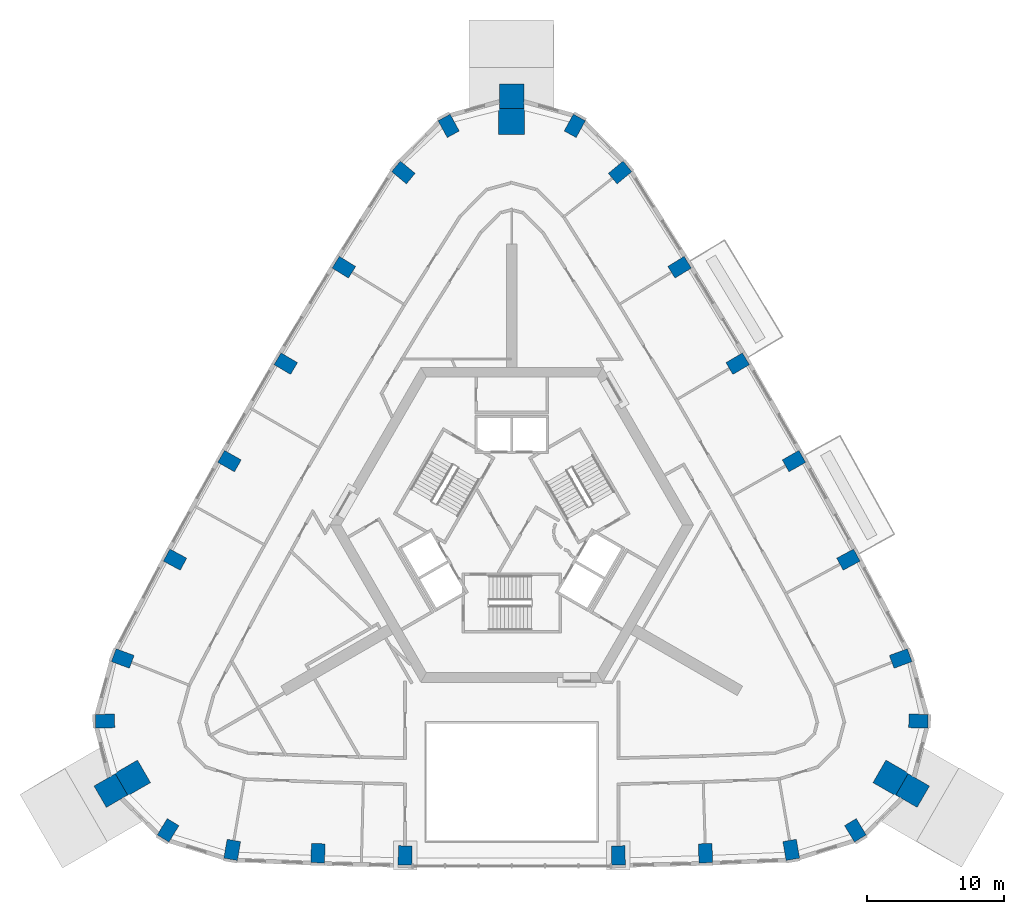
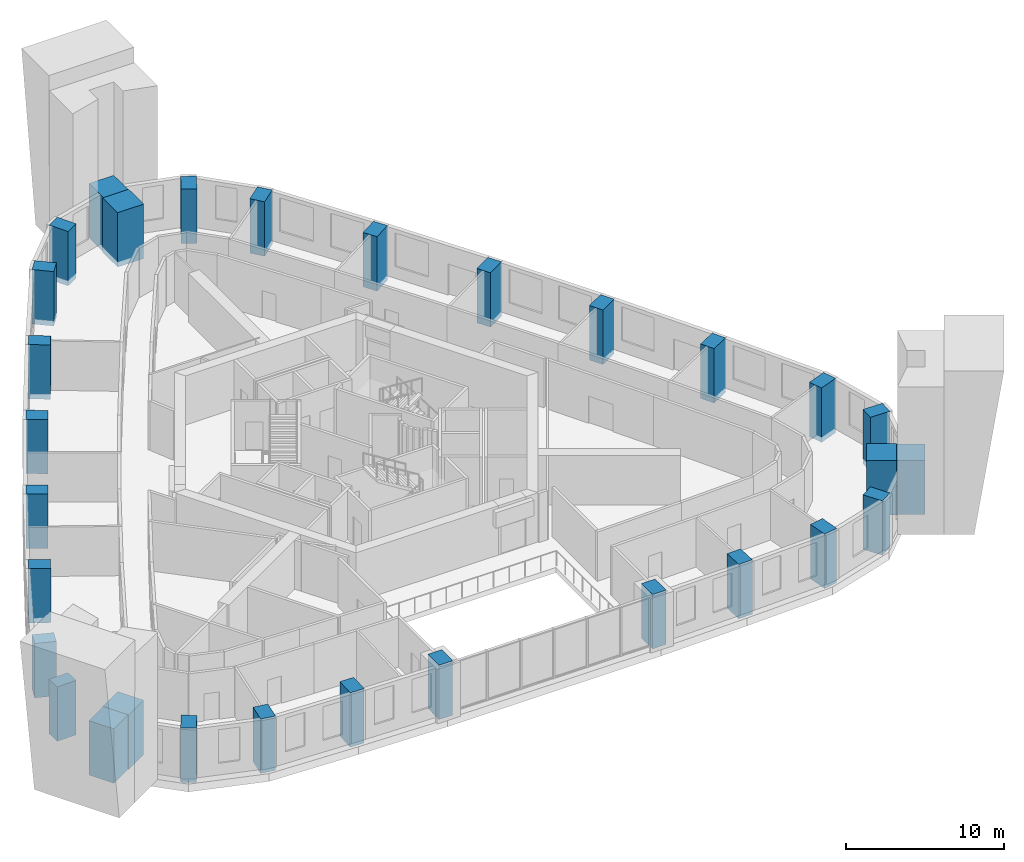
# One storey, part 1 of 13: 30 columns.
"""IFC4 building model written with IfcOpenShell, lengths in metres."""

from ifc_helpers import new_model, si_unit, direction, frame, origin, origin_2d, place, context, subcontext, project, spatial, rectangle, extrude, material, material_profile, profile_set, type_object, element, save


model = new_model("IFC4")

# Units and contexts
model_context = context("Model", 3, precision=1e-05, world=origin(), true_north=direction((0.0, 1.0)))
body_context = subcontext(model_context, "Body", "Model", "MODEL_VIEW")
ifc_project = project(units=[si_unit("LENGTHUNIT", "METRE"), si_unit("AREAUNIT", "SQUARE_METRE"), si_unit("VOLUMEUNIT", "CUBIC_METRE"), si_unit("PLANEANGLEUNIT", "RADIAN"), si_unit("MASSUNIT", "GRAM", prefix="KILO")], contexts=[model_context])

# Site, building, storey
site_placement = place(None, origin())
site = spatial("IfcSite", under=ifc_project, at=site_placement, CompositionType="ELEMENT")
building_placement = place(site_placement, origin())
building = spatial("IfcBuilding", under=site, at=building_placement, Name="Entoto Arch Interchange Tower", CompositionType="ELEMENT")
storey_placement = place(building_placement, frame((0.0, 0.0, 202.39990234375)))
storey = spatial("IfcBuildingStorey", under=building, at=storey_placement, Name="L45", CompositionType="ELEMENT", Elevation=202.39990234375)

# Columns
ifc_material_1 = material(Name="Concrete C50/60", Category="concrete")
ifc_material_profile_1 = material_profile(ifc_material_1, rectangle(XDim=1.0, YDim=1.39990234375, at=origin_2d()))
ifc_profile_set_1 = profile_set([ifc_material_profile_1], Name="Concrete C50/60")
column_type_1 = type_object("IfcColumnType", Name="Column RC 1000x1400 C50/60", PredefinedType="COLUMN", material=ifc_profile_set_1)
for number, where, z_axis, x_axis, name in (
    (1, (-20.4169921875, -21.240966796875, -0.39990234375), (0.0, 0.0, 1.0), (-0.985541276773, 0.169435509195, 0.0), "Column S01 L45"),
    (2, (-14.154052734375, -21.48388671875, -0.39990234375), (0.0, 0.0, 1.0), (-0.999420902032, 0.034027350502, 0.0), "Column S02 L45"),
    (3, (-7.7880859375, -21.64404296875, -0.39990234375), (0.0, 0.0, 1.0), (-0.999913181484, 0.013176854508, 0.0), "Column S03 L45"),
    (4, (7.7880859375, -21.64404296875, -0.39990234375), (0.0, 0.0, 1.0), (0.999913181484, 0.013176854508, 0.0), "Column S04 L45"),
    (5, (14.154052734375, -21.48388671875, -0.39990234375), (0.0, 0.0, 1.0), (0.999420902032, 0.034027350502, 0.0), "Column S05 L45"),
    (6, (20.4169921875, -21.240966796875, -0.39990234375), (0.0, 0.0, 1.0), (0.985541276773, 0.169435509195, 0.0), "Column S06 L45"),
    (7, (25.10205078125, -19.81103515625, -0.39990234375), (0.0, 0.0, 1.0), (0.853423465127, 0.521218178089, 0.0), "Column SE1 L45"),
    (8, (29.70703125, -11.833984375, -0.39990234375), (0.0, 0.0, 1.0), (0.024676450576, 0.99969549003, 0.0), "Column SE3 L45"),
    (9, (28.412109375, -7.263916015625, -0.39990234375), (0.0, 0.0, 1.0), (-0.34706660219, 0.937840484114, 0.0), "Column NE01 L45"),
    (10, (24.591064453125, -0.0419921875, -0.39990234375), (0.0, 0.0, 1.0), (-0.474134310084, 0.880452529102, 0.0), "Column NE02 L45"),
    (11, (20.614990234375, 7.155029296875, -0.39990234375), (0.0, 0.0, 1.0), (-0.491435856222, 0.870913772551, 0.0), "Column NE03 L45"),
    (12, (16.50390625, 14.27490234375, -0.39990234375), (0.0, 0.0, 1.0), (-0.508515523424, 0.861052822095, 0.0), "Column NE04 L45"),
    (13, (12.259033203125, 21.31689453125, -0.39990234375), (0.0, 0.0, 1.0), (-0.525427101986, 0.850838621889, 0.0), "Column NE05 L45"),
    (14, (7.9140625, 28.238037109375, -0.39990234375), (0.0, 0.0, 1.0), (-0.638660382845, 0.769488736359, 0.0), "Column NE06 L45"),
    (15, (4.60498046875, 31.64404296875, -0.39990234375), (0.0, 0.0, 1.0), (-0.878099915703, 0.478477311941, 0.0), "Column N1 L45"),
    (16, (-4.60498046875, 31.64404296875, -0.39990234375), (0.0, 0.0, 1.0), (0.878099915703, 0.478477311941, 0.0), "Column N3 L45"),
    (17, (-7.9140625, 28.238037109375, -0.39990234375), (0.0, 0.0, 1.0), (0.638660382845, 0.769488736359, 0.0), "Column NW01 L45"),
    (18, (-12.259033203125, 21.31689453125, -0.39990234375), (0.0, 0.0, 1.0), (0.525427101986, 0.850838621889, 0.0), "Column NW02 L45"),
    (19, (-16.50390625, 14.27490234375, -0.39990234375), (0.0, 0.0, 1.0), (0.508515523424, 0.861052822095, 0.0), "Column NW03 L45"),
    (20, (-20.614990234375, 7.155029296875, -0.39990234375), (0.0, 0.0, 1.0), (0.491435856222, 0.870913772551, 0.0), "Column NW04 L45"),
    (21, (-24.591064453125, -0.0419921875, -0.39990234375), (0.0, 0.0, 1.0), (0.474134310084, 0.880452529102, 0.0), "Column NW05 L45"),
    (22, (-28.412109375, -7.263916015625, -0.39990234375), (0.0, 0.0, 1.0), (0.34706660219, 0.937840484114, 0.0), "Column NW06 L45"),
    (23, (-29.70703125, -11.833984375, -0.39990234375), (0.0, 0.0, 1.0), (-0.024676450576, 0.99969549003, 0.0), "Column SW1 L45"),
    (24, (-25.10205078125, -19.81103515625, -0.39990234375), (0.0, 0.0, 1.0), (-0.853423465127, 0.521218178089, 0.0), "Column SW3 L45"),
):
    element("IfcColumn", number, at=place(storey_placement, frame(where, z_axis=z_axis, x_axis=x_axis)), inside=storey, type_object=column_type_1, Name=name, PredefinedType="COLUMN", context=body_context, shape_type="SweptSolid", body=[
        extrude(rectangle(XDim=1.0, YDim=1.39990234375, at=origin_2d()), origin(), (0.0, 0.0, 1.0), 4.199951171875),
    ])
ifc_material_2 = material(Name="Precast concrete C40/50", Category="concrete")
ifc_material_profile_2 = material_profile(ifc_material_2, rectangle(XDim=1.800048828125, YDim=1.800048828125, at=origin_2d()))
ifc_profile_set_2 = profile_set([ifc_material_profile_2], Name="Precast concrete C40/50")
column_type_2 = type_object("IfcColumnType", Name="Frame post RC 1800x1800 precast C40/50", PredefinedType="COLUMN", material=ifc_profile_set_2)
for number, where, z_axis, x_axis, name in (
    (25, (29.284912109375, -16.907958984375, -0.39990234375), (0.0, 0.0, 1.0), (-0.866025403784, 0.5, 0.0), "Frame post SE L45"),
    (26, (0.0, 33.81494140625, -0.39990234375), (0.0, 0.0, 1.0), (0.0, 1.0, 0.0), "Frame post N L45"),
    (27, (-29.284912109375, -16.907958984375, -0.39990234375), (0.0, 0.0, 1.0), (0.866025403784, 0.5, 0.0), "Frame post SW L45"),
):
    element("IfcColumn", number, at=place(storey_placement, frame(where, z_axis=z_axis, x_axis=x_axis)), inside=storey, type_object=column_type_2, Name=name, PredefinedType="COLUMN", context=body_context, shape_type="SweptSolid", body=[
        extrude(rectangle(XDim=1.800048828125, YDim=1.800048828125, at=origin_2d()), origin(), (0.0, 0.0, 1.0), 4.199951171875),
    ])
ifc_material_profile_3 = material_profile(ifc_material_1, rectangle(XDim=1.89990234375, YDim=1.89990234375, at=origin_2d()))
ifc_profile_set_3 = profile_set([ifc_material_profile_3], Name="Concrete C50/60")
column_type_3 = type_object("IfcColumnType", Name="Mega column RC 1900x1900 C50/60", PredefinedType="COLUMN", material=ifc_profile_set_3)
for number, where, z_axis, x_axis, name in (
    (28, (27.68310546875, -15.98291015625, -0.39990234375), (0.0, 0.0, 1.0), (-0.866025403784, 0.5, 0.0), "Corner mega column SE2 L45"),
    (29, (0.0, 31.965087890625, -0.39990234375), (0.0, 0.0, 1.0), (0.0, 1.0, 0.0), "Corner mega column N2 L45"),
    (30, (-27.68310546875, -15.98291015625, -0.39990234375), (0.0, 0.0, 1.0), (0.866025403784, 0.5, 0.0), "Corner mega column SW2 L45"),
):
    element("IfcColumn", number, at=place(storey_placement, frame(where, z_axis=z_axis, x_axis=x_axis)), inside=storey, type_object=column_type_3, Name=name, PredefinedType="COLUMN", context=body_context, shape_type="SweptSolid", body=[
        extrude(rectangle(XDim=1.89990234375, YDim=1.89990234375, at=origin_2d()), origin(), (0.0, 0.0, 1.0), 4.199951171875),
    ])

save(model, "model.ifc")
